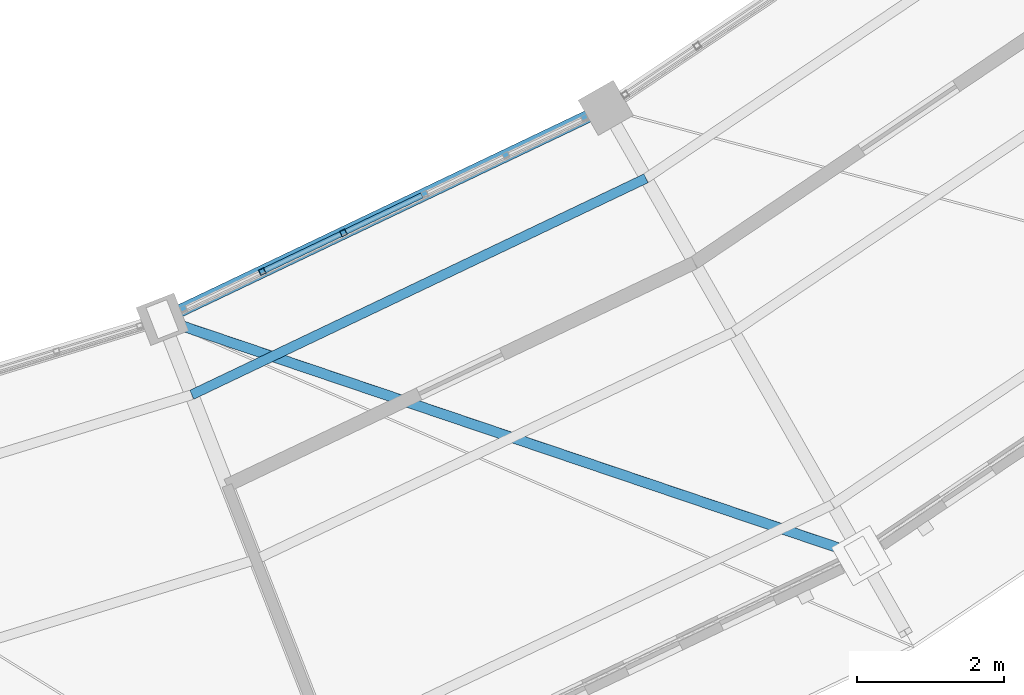
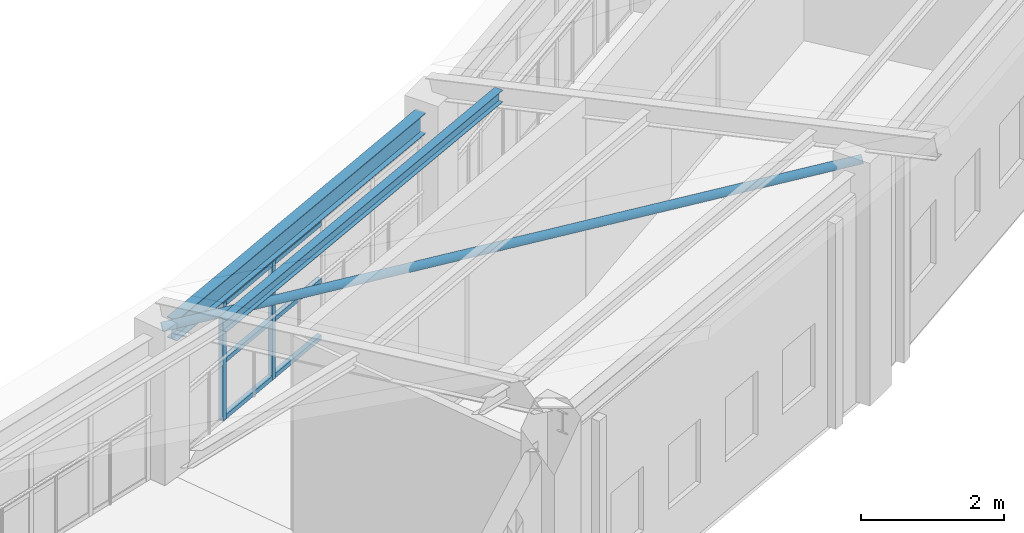
# One storey, part 44 of 149: 10 members, 1 beam, 1 element without a shape of its own.
"""IFC4 building model written with IfcOpenShell, lengths in metres."""

from ifc_helpers import new_model, si_unit, direction, frame, origin, origin_2d, place, context, subcontext, project, spatial, hollow_rectangle, hollow_circle, i_section, extrude, material, material_profile, profile_set, type_object, element, aggregate, save


model = new_model("IFC4")

# Units and contexts
model_context = context("Model", 3, precision=1e-05, world=origin(), true_north=direction((0.0, 1.0)))
body_context = subcontext(model_context, "Body", "Model", "MODEL_VIEW")
ifc_project = project(units=[si_unit("LENGTHUNIT", "METRE"), si_unit("AREAUNIT", "SQUARE_METRE"), si_unit("VOLUMEUNIT", "CUBIC_METRE"), si_unit("PLANEANGLEUNIT", "RADIAN"), si_unit("MASSUNIT", "GRAM", prefix="KILO")], contexts=[model_context])

# Site, building, storey
site_placement = place(None, origin())
site = spatial("IfcSite", under=ifc_project, at=site_placement, CompositionType="ELEMENT")
building_placement = place(site_placement, origin())
building = spatial("IfcBuilding", under=site, at=building_placement, Name="Celadon Cloister-Ring School", CompositionType="ELEMENT")
storey_placement = place(building_placement, frame((0.0, 0.0, 12.5)))
storey = spatial("IfcBuildingStorey", under=building, at=storey_placement, Name="L03", CompositionType="ELEMENT", Elevation=12.5)

# Curtain wall, members
ifc_material_1 = material(Name="Aluminium EN AW-6063 T6", Category="aluminium")
curtain_wall_type = type_object("IfcCurtainWallType", Name="CW-02", PredefinedType="USERDEFINED", material=ifc_material_1)
curtain_wall_placement = place(storey_placement, origin())
curtain_wall = element("IfcCurtainWall", 1, at=curtain_wall_placement, inside=storey, type_object=curtain_wall_type, Name="Curtain Wall 0064", ObjectType="CURTAIN WALL", PredefinedType="USERDEFINED")
ifc_material_2 = material(Name="Aluminium EN AW-6063 T6", Category="aluminium")
ifc_material_profile_1 = material_profile(ifc_material_2, hollow_rectangle(XDim=0.080078125, YDim=0.080078125, WallThickness=0.00390625, at=origin_2d()), Name="RHS80X80X4")
ifc_profile_set_1 = profile_set([ifc_material_profile_1], Name="Aluminium EN AW-6063 T6")
member_type_1 = type_object("IfcMemberType", Name="CM-03", PredefinedType="MULLION", material=ifc_profile_set_1)
member_1_placement = place(storey_placement, frame((104.65673828125, 17.702880859375, 0.0), z_axis=(0.0, 0.0, 1.0), x_axis=(-0.430371984189, 0.902651624507, 0.0)))
member_1 = element("IfcMember", 2, at=member_1_placement, type_object=member_type_1, Name="CW-02 mullion 2", PredefinedType="MULLION", context=body_context, shape_type="SweptSolid", body=[
    extrude(hollow_rectangle(XDim=0.080078125, YDim=0.080078125, WallThickness=0.00390625, at=origin_2d()), origin(), (0.0, 0.0, 1.0), 2.02001953125),
])
member_2_placement = place(storey_placement, frame((105.759521484375, 18.228515625, 0.0), z_axis=(0.0, 0.0, 1.0), x_axis=(-0.430371984189, 0.902651624507, 0.0)))
member_2 = element("IfcMember", 3, at=member_2_placement, type_object=member_type_1, Name="CW-02 mullion 3", PredefinedType="MULLION", context=body_context, shape_type="SweptSolid", body=[
    extrude(hollow_rectangle(XDim=0.080078125, YDim=0.080078125, WallThickness=0.00390625, at=origin_2d()), origin(), (0.0, 0.0, 1.0), 2.02001953125),
])
ifc_material_3 = material(Name="Aluminium EN AW-6063 T6", Category="aluminium")
ifc_material_profile_2 = material_profile(ifc_material_3, hollow_rectangle(XDim=0.074951171875, YDim=0.074951171875, WallThickness=0.00390625, at=origin_2d()), Name="RHS75X75X4")
ifc_profile_set_2 = profile_set([ifc_material_profile_2], Name="Aluminium EN AW-6063 T6")
member_type_2 = type_object("IfcMemberType", Name="CTM-03", PredefinedType="USERDEFINED", material=ifc_profile_set_2)
member_3_placement = place(storey_placement, frame((104.69287109375, 17.719970703125, 0.03759765625), z_axis=(0.902611350539, 0.430456443647, 0.0), x_axis=(-0.430456443647, 0.902611350539, 0.0)))
member_3 = element("IfcMember", 4, at=member_3_placement, type_object=member_type_2, Name="CW-02 transom 2.1", ObjectType="TRANSOM", PredefinedType="USERDEFINED", context=body_context, shape_type="SweptSolid", body=[
    extrude(hollow_rectangle(XDim=0.074951171875, YDim=0.074951171875, WallThickness=0.00390625, at=origin_2d()), origin(), (0.0, 0.0, 1.0), 1.1416015625),
])
member_4_placement = place(storey_placement, frame((104.69287109375, 17.719970703125, 1.010009765625), z_axis=(0.902611350539, 0.430456443647, 0.0), x_axis=(-0.430456443647, 0.902611350539, 0.0)))
member_4 = element("IfcMember", 5, at=member_4_placement, type_object=member_type_2, Name="CW-02 transom 2.2", ObjectType="TRANSOM", PredefinedType="USERDEFINED", context=body_context, shape_type="SweptSolid", body=[
    extrude(hollow_rectangle(XDim=0.074951171875, YDim=0.074951171875, WallThickness=0.00390625, at=origin_2d()), origin(), (0.0, 0.0, 1.0), 1.1416015625),
])
member_5_placement = place(storey_placement, frame((104.69287109375, 17.719970703125, 1.982421875), z_axis=(0.902611350539, 0.430456443647, 0.0), x_axis=(-0.430456443647, 0.902611350539, 0.0)))
member_5 = element("IfcMember", 6, at=member_5_placement, type_object=member_type_2, Name="CW-02 transom 2.3", ObjectType="TRANSOM", PredefinedType="USERDEFINED", context=body_context, shape_type="SweptSolid", body=[
    extrude(hollow_rectangle(XDim=0.074951171875, YDim=0.074951171875, WallThickness=0.00390625, at=origin_2d()), origin(), (0.0, 0.0, 1.0), 1.1416015625),
])
member_6_placement = place(storey_placement, frame((105.795654296875, 18.245849609375, 0.03759765625), z_axis=(0.902611350539, 0.430456443647, 0.0), x_axis=(-0.430456443647, 0.902611350539, 0.0)))
member_6 = element("IfcMember", 7, at=member_6_placement, type_object=member_type_2, Name="CW-02 transom 3.1", ObjectType="TRANSOM", PredefinedType="USERDEFINED", context=body_context, shape_type="SweptSolid", body=[
    extrude(hollow_rectangle(XDim=0.074951171875, YDim=0.074951171875, WallThickness=0.00390625, at=origin_2d()), origin(), (0.0, 0.0, 1.0), 1.1416015625),
])
member_7_placement = place(storey_placement, frame((105.795654296875, 18.245849609375, 1.010009765625), z_axis=(0.902611350539, 0.430456443647, 0.0), x_axis=(-0.430456443647, 0.902611350539, 0.0)))
member_7 = element("IfcMember", 8, at=member_7_placement, type_object=member_type_2, Name="CW-02 transom 3.2", ObjectType="TRANSOM", PredefinedType="USERDEFINED", context=body_context, shape_type="SweptSolid", body=[
    extrude(hollow_rectangle(XDim=0.074951171875, YDim=0.074951171875, WallThickness=0.00390625, at=origin_2d()), origin(), (0.0, 0.0, 1.0), 1.1416015625),
])
member_8_placement = place(storey_placement, frame((105.795654296875, 18.245849609375, 1.982421875), z_axis=(0.902611350539, 0.430456443647, 0.0), x_axis=(-0.430456443647, 0.902611350539, 0.0)))
member_8 = element("IfcMember", 9, at=member_8_placement, type_object=member_type_2, Name="CW-02 transom 3.3", ObjectType="TRANSOM", PredefinedType="USERDEFINED", context=body_context, shape_type="SweptSolid", body=[
    extrude(hollow_rectangle(XDim=0.074951171875, YDim=0.074951171875, WallThickness=0.00390625, at=origin_2d()), origin(), (0.0, 0.0, 1.0), 1.1416015625),
])
aggregate(curtain_wall, [member_1, member_2, member_3, member_4, member_5, member_6, member_7, member_8])

# Beam
ifc_material_4 = material(Name="Structural steel S355JR", Category="steel")
ifc_material_profile_3 = material_profile(ifc_material_4, i_section(OverallWidth=0.1708984375, OverallDepth=0.35498046875, WebThickness=0.007080078125, FlangeThickness=0.01171875, at=origin_2d()), Name="W360X51")
ifc_profile_set_3 = profile_set([ifc_material_profile_3], Name="Structural steel S355JR")
beam_type = type_object("IfcBeamType", Name="GT-08", PredefinedType="USERDEFINED", material=ifc_profile_set_3)
beam_placement = place(storey_placement, frame((103.528076171875, 17.1650390625, 2.27197265625), z_axis=(0.902694312047, 0.43028244096, 0.0), x_axis=(-0.43028244096, 0.902694312047, 0.0)))
element("IfcBeam", 10, at=beam_placement, inside=storey, type_object=beam_type, Name="Beam 0562", ObjectType="GIRDER", PredefinedType="USERDEFINED", context=body_context, shape_type="SweptSolid", body=[
    extrude(i_section(OverallWidth=0.1708984375, OverallDepth=0.35498046875, WebThickness=0.007080078125, FlangeThickness=0.01171875, at=origin_2d()), origin(), (0.0, 0.0, 1.0), 6.166015625),
])

# Members
ifc_material_5 = material(Name="Structural steel S355JR", Category="steel")
ifc_material_profile_4 = material_profile(ifc_material_5, hollow_circle(Radius=0.06982421875, WallThickness=0.00634765625, at=origin_2d()), Name="CHS139.7X6.3")
ifc_profile_set_4 = profile_set([ifc_material_profile_4], Name="Structural steel S355JR")
member_type_3 = type_object("IfcMemberType", Name="MB-10", PredefinedType="BRACE", material=ifc_profile_set_4)
member_9_placement = place(storey_placement, frame((103.302001953125, 17.056884765625, 2.449951171875), z_axis=(0.936834674441, -0.316881538925, 0.148077287432), x_axis=(0.320413847865, 0.947277660507, 0.0)))
element("IfcMember", 11, at=member_9_placement, inside=storey, type_object=member_type_3, Name="Structural Member 0182", PredefinedType="BRACE", context=body_context, shape_type="SweptSolid", body=[
    extrude(hollow_circle(Radius=0.06982421875, WallThickness=0.00634765625, at=origin_2d()), origin(), (0.0, 0.0, 1.0), 10.1298828125),
])
ifc_material_6 = material(Name="Structural steel S355JR", Category="steel")
ifc_material_profile_5 = material_profile(ifc_material_6, i_section(OverallWidth=0.133056640625, OverallDepth=0.20703125, WebThickness=0.005859375, FlangeThickness=0.00830078125, at=origin_2d()), Name="W200X27")
ifc_profile_set_5 = profile_set([ifc_material_profile_5], Name="Structural steel S355JR")
member_type_4 = type_object("IfcMemberType", Name="MP-04", PredefinedType="PURLIN", material=ifc_profile_set_5)
member_10_placement = place(storey_placement, frame((103.700927734375, 16.031982421875, 2.970947265625), z_axis=(0.902732284701, 0.430202768656, 0.0), x_axis=(-0.430202768656, 0.902732284701, 0.0)))
element("IfcMember", 12, at=member_10_placement, inside=storey, type_object=member_type_4, Name="Structural Member 0179", PredefinedType="PURLIN", context=body_context, shape_type="SweptSolid", body=[
    extrude(i_section(OverallWidth=0.133056640625, OverallDepth=0.20703125, WebThickness=0.005859375, FlangeThickness=0.00830078125, at=origin_2d()), origin(), (0.0, 0.0, 1.0), 6.829345703125),
])

save(model, "model.ifc")
